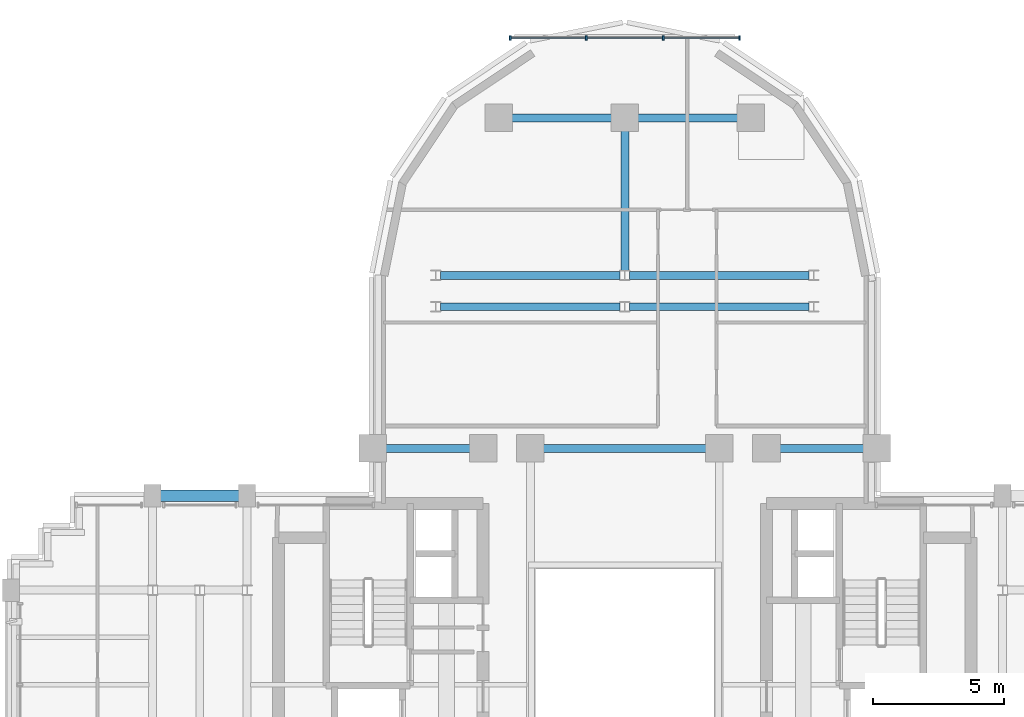
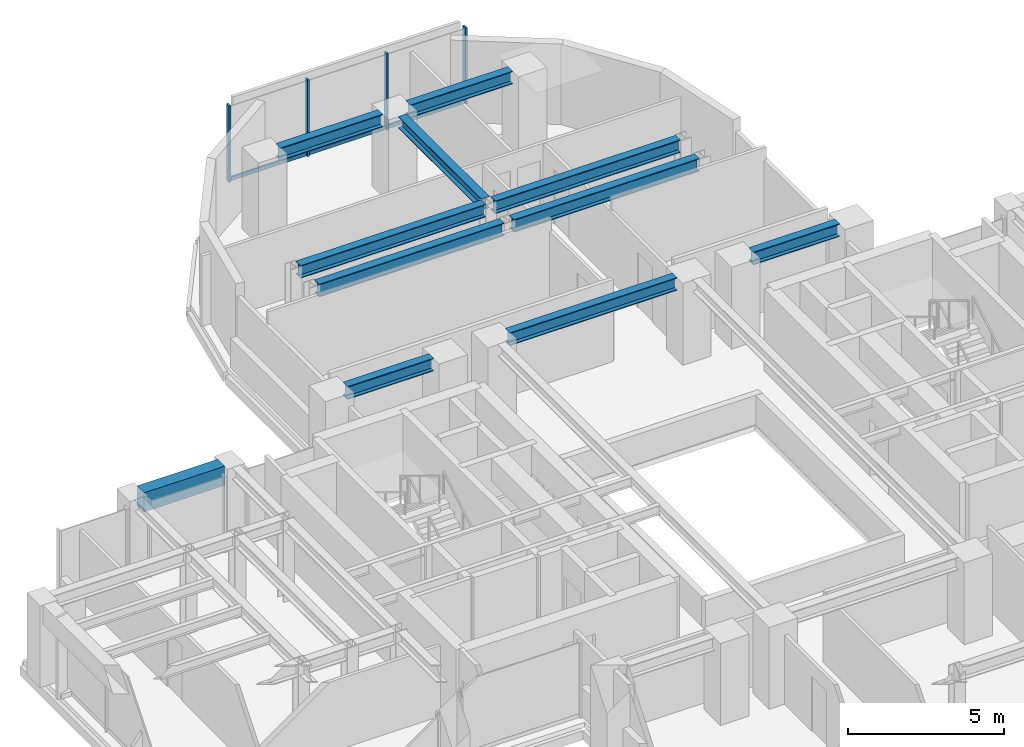
# One storey, part 6 of 14: 11 beams, 7 members, 1 element without a shape of its own.
"""IFC4 building model written with IfcOpenShell, lengths in metres."""

from ifc_helpers import new_model, si_unit, direction, frame, origin, origin_2d, place, context, subcontext, project, spatial, rectangle, i_section, extrude, source, transform, mapped, material, material_profile, profile_set, type_object, element, aggregate, save


model = new_model("IFC4")

# Units and contexts
model_context = context("Model", 3, precision=1e-05, world=origin(), true_north=direction((0.0, 1.0)))
body_context = subcontext(model_context, "Body", "Model", "MODEL_VIEW")
ifc_project = project(units=[si_unit("LENGTHUNIT", "METRE"), si_unit("AREAUNIT", "SQUARE_METRE"), si_unit("VOLUMEUNIT", "CUBIC_METRE"), si_unit("PLANEANGLEUNIT", "RADIAN"), si_unit("MASSUNIT", "GRAM", prefix="KILO")], contexts=[model_context])

# Site, building, storey
site_placement = place(None, origin())
site = spatial("IfcSite", under=ifc_project, at=site_placement, CompositionType="ELEMENT")
building_placement = place(site_placement, origin())
building = spatial("IfcBuilding", under=site, at=building_placement, Name="Keilestroom Media Tower", CompositionType="ELEMENT")
storey_placement = place(building_placement, frame((0.0, 0.0, 114.199951171875)))
storey = spatial("IfcBuildingStorey", under=building, at=storey_placement, Name="L30", CompositionType="ELEMENT", Elevation=114.199951171875)

# Beams
ifc_material_1 = material(Name="Steel S355", Category="steel")
ifc_material_profile_1 = material_profile(ifc_material_1, i_section(OverallWidth=0.300048828125, OverallDepth=0.5, WebThickness=0.012451171875, FlangeThickness=0.028076171875, at=origin_2d()), Name="HEB 500")
ifc_profile_set_1 = profile_set([ifc_material_profile_1], Name="Steel S355")
beam_type_1 = type_object("IfcBeamType", Name="Primary-Structural-Girder-HEB-500", PredefinedType="BEAM", material=ifc_profile_set_1)
shared_shape_1 = source(origin(), body_context, "Body", "SweptSolid", [
    extrude(i_section(OverallWidth=0.300048828125, OverallDepth=0.5, WebThickness=0.012451171875, FlangeThickness=0.028076171875, at=origin_2d()), origin(), (0.0, 0.0, 1.0), 3.7900390625),
])
for number, where, z_axis, x_axis, name in (
    (1, (-4.294921875, 21.60009765625, 2.949951171875), (1.0, 0.0, 0.0), (0.0, 1.0, 0.0), "L30 Beam BG-6 BM-L30-EW-037"),
    (2, (0.5048828125, 21.60009765625, 2.949951171875), (1.0, 0.0, 0.0), (0.0, 1.0, 0.0), "L30 Beam BG-6 BM-L30-EW-038"),
):
    element("IfcBeam", number, at=place(storey_placement, frame(where, z_axis=z_axis, x_axis=x_axis)), inside=storey, type_object=beam_type_1, Name=name, PredefinedType="BEAM", context=body_context, shape_type="MappedRepresentation", body=[
        mapped(shared_shape_1, transform((0.0, 0.0, 0.0), x_axis=(1.0, 0.0, 0.0), y_axis=(0.0, 1.0, 0.0), z_axis=(0.0, 0.0, 1.0), scale=1.0)),
    ])
shared_shape_2 = source(origin(), body_context, "Body", "SweptSolid", [
    extrude(i_section(OverallWidth=0.300048828125, OverallDepth=0.5, WebThickness=0.012451171875, FlangeThickness=0.028076171875, at=origin_2d()), origin(), (0.0, 0.0, 1.0), 6.839111328125),
])
for number, where, z_axis, x_axis, name in (
    (3, (-7.01953125, 14.39990234375, 2.949951171875), (1.0, 0.0, 0.0), (0.0, 1.0, 0.0), "L30 Beam BG-6 BM-L30-EW-033"),
    (4, (0.180419921875, 14.39990234375, 2.949951171875), (1.0, 0.0, 0.0), (0.0, 1.0, 0.0), "L30 Beam BG-6 BM-L30-EW-034"),
    (5, (-7.01953125, 15.60009765625, 2.949951171875), (1.0, 0.0, 0.0), (0.0, 1.0, 0.0), "L30 Beam BG-6 BM-L30-EW-035"),
    (6, (0.180419921875, 15.60009765625, 2.949951171875), (1.0, 0.0, 0.0), (0.0, 1.0, 0.0), "L30 Beam BG-6 BM-L30-EW-036"),
):
    element("IfcBeam", number, at=place(storey_placement, frame(where, z_axis=z_axis, x_axis=x_axis)), inside=storey, type_object=beam_type_1, Name=name, PredefinedType="BEAM", context=body_context, shape_type="MappedRepresentation", body=[
        mapped(shared_shape_2, transform((0.0, 0.0, 0.0), x_axis=(1.0, 0.0, 0.0), y_axis=(0.0, 1.0, 0.0), z_axis=(0.0, 0.0, 1.0), scale=1.0)),
    ])
shared_shape_3 = source(origin(), body_context, "Body", "SweptSolid", [
    extrude(i_section(OverallWidth=0.300048828125, OverallDepth=0.5, WebThickness=0.012451171875, FlangeThickness=0.028076171875, at=origin_2d()), origin(), (0.0, 0.0, 1.0), 3.18994140625),
])
for number, where, z_axis, x_axis, name in (
    (7, (-9.094970703125, 9.0, 2.949951171875), (1.0, 0.0, 0.0), (0.0, 1.0, 0.0), "L30 Beam BG-6 BM-L30-EW-028"),
    (8, (5.905029296875, 9.0, 2.949951171875), (1.0, 0.0, 0.0), (0.0, 1.0, 0.0), "L30 Beam BG-6 BM-L30-EW-032"),
):
    element("IfcBeam", number, at=place(storey_placement, frame(where, z_axis=z_axis, x_axis=x_axis)), inside=storey, type_object=beam_type_1, Name=name, PredefinedType="BEAM", context=body_context, shape_type="MappedRepresentation", body=[
        mapped(shared_shape_3, transform((0.0, 0.0, 0.0), x_axis=(1.0, 0.0, 0.0), y_axis=(0.0, 1.0, 0.0), z_axis=(0.0, 0.0, 1.0), scale=1.0)),
    ])
shared_shape_4 = source(origin(), body_context, "Body", "SweptSolid", [
    extrude(i_section(OverallWidth=0.300048828125, OverallDepth=0.5, WebThickness=0.012451171875, FlangeThickness=0.028076171875, at=origin_2d()), origin(), (0.0, 0.0, 1.0), 6.18994140625),
])
beam_1_placement = place(storey_placement, frame((-3.094970703125, 9.0, 2.949951171875), z_axis=(1.0, 0.0, 0.0), x_axis=(0.0, 1.0, 0.0)))
element("IfcBeam", 9, at=beam_1_placement, inside=storey, type_object=beam_type_1, Name="L30 Beam BG-6 BM-L30-EW-030", PredefinedType="BEAM", context=body_context, shape_type="MappedRepresentation", body=[
    mapped(shared_shape_4, transform((0.0, 0.0, 0.0), x_axis=(1.0, 0.0, 0.0), y_axis=(0.0, 1.0, 0.0), z_axis=(0.0, 0.0, 1.0), scale=1.0)),
])
ifc_material_2 = material(Name="Precast concrete C40/50", Category="concrete")
ifc_material_profile_2 = material_profile(ifc_material_2, rectangle(XDim=0.449951171875, YDim=0.75, at=origin_2d()), Name="PC 450x750")
ifc_profile_set_2 = profile_set([ifc_material_profile_2], Name="Precast concrete C40/50")
beam_type_2 = type_object("IfcBeamType", Name="Perimeter-Spandrel-Beam-PC-450x750", PredefinedType="SPANDREL", material=ifc_profile_set_2)
shared_shape_5 = source(origin(), body_context, "Body", "SweptSolid", [
    extrude(rectangle(XDim=0.449951171875, YDim=0.75, at=origin_2d()), origin(), (0.0, 0.0, 1.0), 2.989990234375),
])
beam_2_placement = place(storey_placement, frame((-17.695068359375, 7.199951171875, 2.824951171875), z_axis=(1.0, 0.0, 0.0), x_axis=(0.0, 1.0, 0.0)))
element("IfcBeam", 10, at=beam_2_placement, inside=storey, type_object=beam_type_2, Name="L30 Beam SPB-1 BM-L30-EW-026", PredefinedType="SPANDREL", context=body_context, shape_type="MappedRepresentation", body=[
    mapped(shared_shape_5, transform((0.0, 0.0, 0.0), x_axis=(1.0, 0.0, 0.0), y_axis=(0.0, 1.0, 0.0), z_axis=(0.0, 0.0, 1.0), scale=1.0)),
])
ifc_material_profile_3 = material_profile(ifc_material_1, i_section(OverallWidth=0.300048828125, OverallDepth=0.449951171875, WebThickness=0.011962890625, FlangeThickness=0.02587890625, at=origin_2d()), Name="HEB 450")
ifc_profile_set_3 = profile_set([ifc_material_profile_3], Name="Steel S355")
beam_type_3 = type_object("IfcBeamType", Name="Primary-Structural-Girder-HEB-450", PredefinedType="BEAM", material=ifc_profile_set_3)
shared_shape_6 = source(origin(), body_context, "Body", "SweptSolid", [
    extrude(i_section(OverallWidth=0.300048828125, OverallDepth=0.449951171875, WebThickness=0.011962890625, FlangeThickness=0.02587890625, at=origin_2d()), origin(), (0.0, 0.0, 1.0), 5.3154296875),
])
beam_3_placement = place(storey_placement, frame((0.0, 15.779541015625, 2.97509765625), z_axis=(0.0, 1.0, 0.0), x_axis=(-1.0, 0.0, 0.0)))
element("IfcBeam", 11, at=beam_3_placement, inside=storey, type_object=beam_type_3, Name="L30 Beam BG-7 BM-L30-NS-055", PredefinedType="BEAM", context=body_context, shape_type="MappedRepresentation", body=[
    mapped(shared_shape_6, transform((0.0, 0.0, 0.0), x_axis=(1.0, 0.0, 0.0), y_axis=(0.0, 1.0, 0.0), z_axis=(0.0, 0.0, 1.0), scale=1.0)),
])

# Curtain wall, members
ifc_material_3 = material(Name="Anodised Aluminium Alloy", Category="aluminium")
curtain_wall_type = type_object("IfcCurtainWallType", Name="Unitised-Curtain-Wall-CW-6", PredefinedType="NOTDEFINED", material=ifc_material_3)
curtain_wall_placement = place(storey_placement, origin())
curtain_wall = element("IfcCurtainWall", 12, at=curtain_wall_placement, inside=storey, type_object=curtain_wall_type, Name="L30 Curtain Wall CW-6 CW-L30-LN-1", PredefinedType="NOTDEFINED")
ifc_material_profile_4 = material_profile(ifc_material_3, rectangle(XDim=0.06494140625, YDim=0.179931640625, at=origin_2d()), Name="ALU MULLION 65x180")
ifc_profile_set_4 = profile_set([ifc_material_profile_4], Name="Anodised Aluminium Alloy")
member_type_1 = type_object("IfcMemberType", Name="Curtain-Wall-Mullion-CW-6", PredefinedType="MULLION", material=ifc_profile_set_4)
shared_shape_7 = source(origin(), body_context, "Body", "SweptSolid", [
    extrude(rectangle(XDim=0.06494140625, YDim=0.179931640625, at=origin_2d()), origin(), (0.0, 0.0, 1.0), 2.97998046875),
])
member_1_placement = place(storey_placement, frame((-4.367431640625, 24.64990234375, 0.0), z_axis=(0.0, 0.0, 1.0), x_axis=(1.0, 0.0, 0.0)))
member_1 = element("IfcMember", 13, at=member_1_placement, type_object=member_type_1, Name="CW-6 Mullion 00", PredefinedType="MULLION", context=body_context, shape_type="MappedRepresentation", body=[
    mapped(shared_shape_7, transform((0.0, 0.0, 0.0), x_axis=(1.0, 0.0, 0.0), y_axis=(0.0, 1.0, 0.0), z_axis=(0.0, 0.0, 1.0), scale=1.0)),
])
member_2_placement = place(storey_placement, frame((-1.466796875, 24.64990234375, 0.0), z_axis=(0.0, 0.0, 1.0), x_axis=(1.0, 0.0, 0.0)))
member_2 = element("IfcMember", 14, at=member_2_placement, type_object=member_type_1, Name="CW-6 Mullion 01", PredefinedType="MULLION", context=body_context, shape_type="MappedRepresentation", body=[
    mapped(shared_shape_7, transform((0.0, 0.0, 0.0), x_axis=(1.0, 0.0, 0.0), y_axis=(0.0, 1.0, 0.0), z_axis=(0.0, 0.0, 1.0), scale=1.0)),
])
member_3_placement = place(storey_placement, frame((1.466796875, 24.64990234375, 0.0), z_axis=(0.0, 0.0, 1.0), x_axis=(1.0, 0.0, 0.0)))
member_3 = element("IfcMember", 15, at=member_3_placement, type_object=member_type_1, Name="CW-6 Mullion 02", PredefinedType="MULLION", context=body_context, shape_type="MappedRepresentation", body=[
    mapped(shared_shape_7, transform((0.0, 0.0, 0.0), x_axis=(1.0, 0.0, 0.0), y_axis=(0.0, 1.0, 0.0), z_axis=(0.0, 0.0, 1.0), scale=1.0)),
])
member_4_placement = place(storey_placement, frame((4.367431640625, 24.64990234375, 0.0), z_axis=(0.0, 0.0, 1.0), x_axis=(1.0, 0.0, 0.0)))
member_4 = element("IfcMember", 16, at=member_4_placement, type_object=member_type_1, Name="CW-6 Mullion 03", PredefinedType="MULLION", context=body_context, shape_type="MappedRepresentation", body=[
    mapped(shared_shape_7, transform((0.0, 0.0, 0.0), x_axis=(1.0, 0.0, 0.0), y_axis=(0.0, 1.0, 0.0), z_axis=(0.0, 0.0, 1.0), scale=1.0)),
])
ifc_material_profile_5 = material_profile(ifc_material_3, rectangle(XDim=0.06494140625, YDim=0.14990234375, at=origin_2d()), Name="ALU TRANSOM 65x150")
ifc_profile_set_5 = profile_set([ifc_material_profile_5], Name="Anodised Aluminium Alloy")
member_type_2 = type_object("IfcMemberType", Name="Curtain-Wall-Transom-CW-6", PredefinedType="USERDEFINED", material=ifc_profile_set_5)
shared_shape_8 = source(origin(), body_context, "Body", "SweptSolid", [
    extrude(rectangle(XDim=0.06494140625, YDim=0.14990234375, at=origin_2d()), origin(), (0.0, 0.0, 1.0), 2.839599609375),
])
member_5_placement = place(storey_placement, frame((-4.3369140625, 24.64990234375, 0.074951171875), z_axis=(1.0, 0.0, 0.0), x_axis=(0.0, 1.0, 0.0)))
member_5 = element("IfcMember", 17, at=member_5_placement, type_object=member_type_2, Name="CW-6 Transom 00.1", ObjectType="TRANSOM", PredefinedType="USERDEFINED", context=body_context, shape_type="MappedRepresentation", body=[
    mapped(shared_shape_8, transform((0.0, 0.0, 0.0), x_axis=(1.0, 0.0, 0.0), y_axis=(0.0, 1.0, 0.0), z_axis=(0.0, 0.0, 1.0), scale=1.0)),
])
member_6_placement = place(storey_placement, frame((1.497314453125, 24.64990234375, 0.074951171875), z_axis=(1.0, 0.0, 0.0), x_axis=(0.0, 1.0, 0.0)))
member_6 = element("IfcMember", 18, at=member_6_placement, type_object=member_type_2, Name="CW-6 Transom 02.1", ObjectType="TRANSOM", PredefinedType="USERDEFINED", context=body_context, shape_type="MappedRepresentation", body=[
    mapped(shared_shape_8, transform((0.0, 0.0, 0.0), x_axis=(1.0, 0.0, 0.0), y_axis=(0.0, 1.0, 0.0), z_axis=(0.0, 0.0, 1.0), scale=1.0)),
])
shared_shape_9 = source(origin(), body_context, "Body", "SweptSolid", [
    extrude(rectangle(XDim=0.06494140625, YDim=0.14990234375, at=origin_2d()), origin(), (0.0, 0.0, 1.0), 2.87255859375),
])
member_7_placement = place(storey_placement, frame((-1.436279296875, 24.64990234375, 0.074951171875), z_axis=(1.0, 0.0, 0.0), x_axis=(0.0, 1.0, 0.0)))
member_7 = element("IfcMember", 19, at=member_7_placement, type_object=member_type_2, Name="CW-6 Transom 01.1", ObjectType="TRANSOM", PredefinedType="USERDEFINED", context=body_context, shape_type="MappedRepresentation", body=[
    mapped(shared_shape_9, transform((0.0, 0.0, 0.0), x_axis=(1.0, 0.0, 0.0), y_axis=(0.0, 1.0, 0.0), z_axis=(0.0, 0.0, 1.0), scale=1.0)),
])
aggregate(curtain_wall, [member_1, member_2, member_3, member_4, member_5, member_7, member_6])

save(model, "model.ifc")
